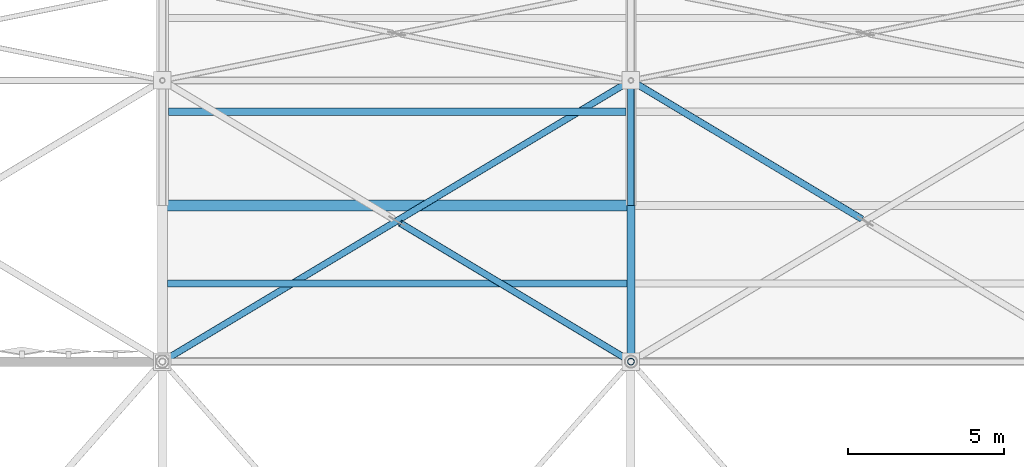
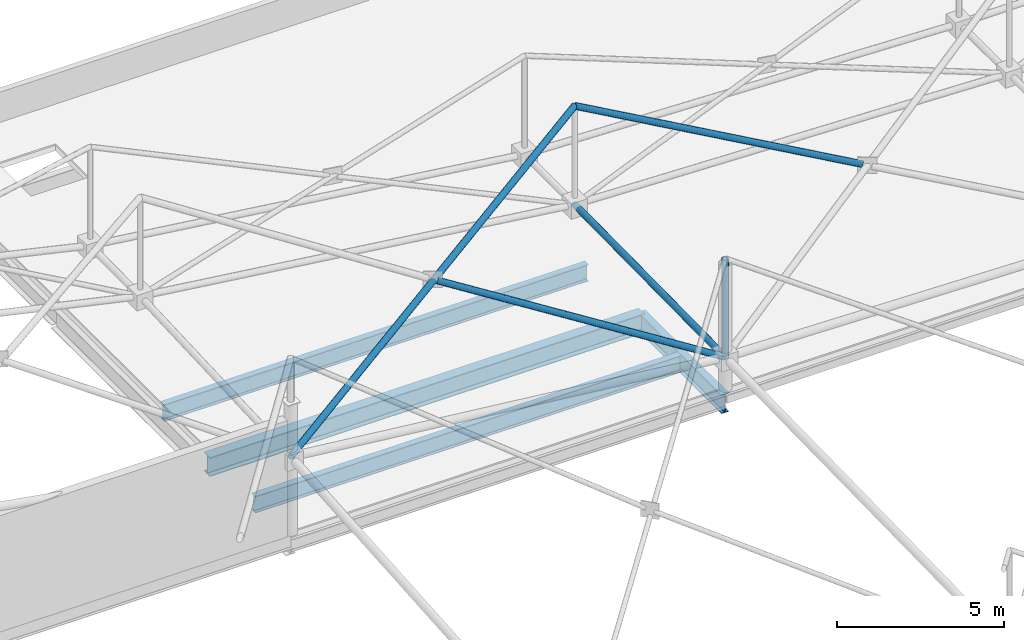
# One storey, part 89 of 224: 5 members, 4 beams.
"""IFC4 building model written with IfcOpenShell, lengths in metres."""

from ifc_helpers import new_model, si_unit, direction, frame, origin, origin_2d, place, context, subcontext, project, spatial, hollow_circle, i_section, extrude, material, material_profile, profile_set, type_object, element, save


model = new_model("IFC4")

# Units and contexts
model_context = context("Model", 3, precision=1e-05, world=origin(), true_north=direction((0.0, 1.0)))
body_context = subcontext(model_context, "Body", "Model", "MODEL_VIEW")
ifc_project = project(units=[si_unit("LENGTHUNIT", "METRE"), si_unit("AREAUNIT", "SQUARE_METRE"), si_unit("VOLUMEUNIT", "CUBIC_METRE"), si_unit("PLANEANGLEUNIT", "RADIAN"), si_unit("MASSUNIT", "GRAM", prefix="KILO")], contexts=[model_context])

# Site, building, storey
site_placement = place(None, origin())
site = spatial("IfcSite", under=ifc_project, at=site_placement, CompositionType="ELEMENT")
building_placement = place(site_placement, origin())
building = spatial("IfcBuilding", under=site, at=building_placement, Name="Qamarlyn Nura Convention Centre", CompositionType="ELEMENT")
storey_placement = place(building_placement, frame((0.0, 0.0, 10.800048828125)))
storey = spatial("IfcBuildingStorey", under=building, at=storey_placement, Name="L02", CompositionType="ELEMENT", Elevation=10.800048828125)

# Beams
ifc_material_1 = material(Name="Steel ASTM A992", Category="steel")
ifc_material_profile_1 = material_profile(ifc_material_1, i_section(OverallWidth=0.35498046875, OverallDepth=0.695068359375, WebThickness=0.015380859375, FlangeThickness=0.02490234375, FilletRadius=0.01806640625, at=origin_2d()), Name="W690X217")
ifc_profile_set_1 = profile_set([ifc_material_profile_1], Name="Steel ASTM A992")
beam_type_1 = type_object("IfcBeamType", Name="BM-GIRD-690A", PredefinedType="BEAM", material=ifc_profile_set_1)
beam_1_placement = place(storey_placement, frame((15.0, 108.0, -0.54248046875), z_axis=(1.0, 0.0, 0.0), x_axis=(0.0, 1.0, 0.0)))
element("IfcBeam", 1, at=beam_1_placement, inside=storey, type_object=beam_type_1, Name="L02 girder N 2-3", PredefinedType="BEAM", context=body_context, shape_type="SweptSolid", body=[
    extrude(i_section(OverallWidth=0.35498046875, OverallDepth=0.695068359375, WebThickness=0.015380859375, FlangeThickness=0.02490234375, FilletRadius=0.01806640625, at=origin_2d()), origin(), (0.0, 0.0, 1.0), 15.0),
])
ifc_material_profile_2 = material_profile(ifc_material_1, i_section(OverallWidth=0.25390625, OverallDepth=0.68408203125, WebThickness=0.012451171875, FlangeThickness=0.01904296875, FilletRadius=0.01806640625, at=origin_2d()), Name="W690X140")
ifc_profile_set_2 = profile_set([ifc_material_profile_2], Name="Steel ASTM A992")
beam_type_2 = type_object("IfcBeamType", Name="BM-GIRD-690B", PredefinedType="BEAM", material=ifc_profile_set_2)
beam_2_placement = place(storey_placement, frame((30.0, 103.0, -0.537109375), z_axis=(0.0, 1.0, 0.0), x_axis=(-1.0, 0.0, 0.0)))
element("IfcBeam", 2, at=beam_2_placement, inside=storey, type_object=beam_type_2, Name="L02 girder 3 M-N", PredefinedType="BEAM", context=body_context, shape_type="SweptSolid", body=[
    extrude(i_section(OverallWidth=0.25390625, OverallDepth=0.68408203125, WebThickness=0.012451171875, FlangeThickness=0.01904296875, FilletRadius=0.01806640625, at=origin_2d()), origin(), (0.0, 0.0, 1.0), 5.0),
])
ifc_material_profile_3 = material_profile(ifc_material_1, i_section(OverallWidth=0.22802734375, OverallDepth=0.60791015625, WebThickness=0.01123046875, FlangeThickness=0.017333984375, FilletRadius=0.01611328125, at=origin_2d()), Name="W610X113")
ifc_profile_set_3 = profile_set([ifc_material_profile_3], Name="Steel ASTM A992")
beam_type_3 = type_object("IfcBeamType", Name="BM-JOIST-610", PredefinedType="JOIST", material=ifc_profile_set_3)
beam_3_placement = place(storey_placement, frame((15.162109375, 105.5, -0.4990234375), z_axis=(1.0, 0.0, 0.0), x_axis=(0.0, 1.0, 0.0)))
element("IfcBeam", 3, at=beam_3_placement, inside=storey, type_object=beam_type_3, Name="L02 composite joist 2-3/M+1", PredefinedType="JOIST", context=body_context, shape_type="SweptSolid", body=[
    extrude(i_section(OverallWidth=0.22802734375, OverallDepth=0.60791015625, WebThickness=0.01123046875, FlangeThickness=0.017333984375, FilletRadius=0.01611328125, at=origin_2d()), origin(), (0.0, 0.0, 1.0), 14.7109375),
])
beam_4_placement = place(storey_placement, frame((15.1904296875, 111.0, -0.4990234375), z_axis=(1.0, 0.0, 0.0), x_axis=(0.0, 1.0, 0.0)))
element("IfcBeam", 4, at=beam_4_placement, inside=storey, type_object=beam_type_3, Name="L02 composite joist 2-3/N+1", PredefinedType="JOIST", context=body_context, shape_type="SweptSolid", body=[
    extrude(i_section(OverallWidth=0.22802734375, OverallDepth=0.60791015625, WebThickness=0.01123046875, FlangeThickness=0.017333984375, FilletRadius=0.01611328125, at=origin_2d()), origin(), (0.0, 0.0, 1.0), 14.6474609375),
])

# Members
ifc_material_2 = material(Name="Pearl-white PVDF steel ASTM A500 Grade C", Category="steel")
ifc_material_profile_4 = material_profile(ifc_material_2, hollow_circle(Radius=0.109619140625, WallThickness=0.010009765625, at=origin_2d()), Name="CHS219.1X10")
ifc_profile_set_4 = profile_set([ifc_material_profile_4], Name="Pearl-white PVDF steel ASTM A500 Grade C")
member_type_1 = type_object("IfcMemberType", Name="SF-BC-EAVE", PredefinedType="CHORD", material=ifc_profile_set_4)
member_1_placement = place(storey_placement, frame((30.0, 103.0, 1.150634765625), z_axis=(0.0, 0.999918388054, 0.012775649978), x_axis=(-1.0, 0.0, 0.0)))
element("IfcMember", 5, at=member_1_placement, inside=storey, type_object=member_type_1, Name="ROOF TRUSS space frame bottom chord Y4-7", PredefinedType="CHORD", context=body_context, shape_type="SweptSolid", body=[
    extrude(hollow_circle(Radius=0.109619140625, WallThickness=0.010009765625, at=origin_2d()), origin(), (0.0, 0.0, 1.0), 9.000732421875),
])
ifc_material_profile_5 = material_profile(ifc_material_2, hollow_circle(Radius=0.109619140625, WallThickness=0.010009765625, at=origin_2d()), Name="CHS219.1X10")
ifc_profile_set_5 = profile_set([ifc_material_profile_5], Name="Pearl-white PVDF steel ASTM A500 Grade C")
member_type_2 = type_object("IfcMemberType", Name="SF-WEB-HVY", PredefinedType="BRACE", material=ifc_profile_set_5)
member_2_placement = place(storey_placement, frame((15.0, 103.0, 2.7685546875), z_axis=(0.851396229484, 0.51083773769, 0.119034726746), x_axis=(-0.514495755428, 0.857492925713, 0.0)))
element("IfcMember", 6, at=member_2_placement, inside=storey, type_object=member_type_2, Name="ROOF TRUSS space frame diagonal A 3-7", PredefinedType="BRACE", context=body_context, shape_type="SweptSolid", body=[
    extrude(hollow_circle(Radius=0.109619140625, WallThickness=0.010009765625, at=origin_2d()), origin(), (0.0, 0.0, 1.0), 17.6181640625),
])
member_3_placement = place(storey_placement, frame((30.0, 103.0, 1.150634765625), z_axis=(-0.818362037704, 0.491011812322, 0.298648581788), x_axis=(-0.514491587027, -0.857495426739, 0.0)))
element("IfcMember", 7, at=member_3_placement, inside=storey, type_object=member_type_2, Name="ROOF TRUSS space frame split diagonal B1 3-7", PredefinedType="BRACE", context=body_context, shape_type="SweptSolid", body=[
    extrude(hollow_circle(Radius=0.109619140625, WallThickness=0.010009765625, at=origin_2d()), origin(), (0.0, 0.0, 1.0), 9.025146484375),
])
member_4_placement = place(storey_placement, frame((30.0, 103.0, 1.150634765625), z_axis=(0.0, 0.0, 1.0), x_axis=(1.0, 0.0, 0.0)))
element("IfcMember", 8, at=member_4_placement, inside=storey, type_object=member_type_2, Name="ROOF TRUSS space frame vertical 4-7", PredefinedType="BRACE", context=body_context, shape_type="SweptSolid", body=[
    extrude(hollow_circle(Radius=0.109619140625, WallThickness=0.010009765625, at=origin_2d()), origin(), (0.0, 0.0, 1.0), 3.599853515625),
])
member_5_placement = place(storey_placement, frame((37.383056640625, 107.5703125, 2.835693359375), z_axis=(-0.834615800293, 0.500752920886, 0.22948415659), x_axis=(-0.514483245568, -0.857500431504, 0.0)))
element("IfcMember", 9, at=member_5_placement, inside=storey, type_object=member_type_2, Name="ROOF TRUSS space frame split diagonal B2 4-7", PredefinedType="BRACE", context=body_context, shape_type="SweptSolid", body=[
    extrude(hollow_circle(Radius=0.109619140625, WallThickness=0.010009765625, at=origin_2d()), origin(), (0.0, 0.0, 1.0), 8.845947265625),
])

save(model, "model.ifc")
